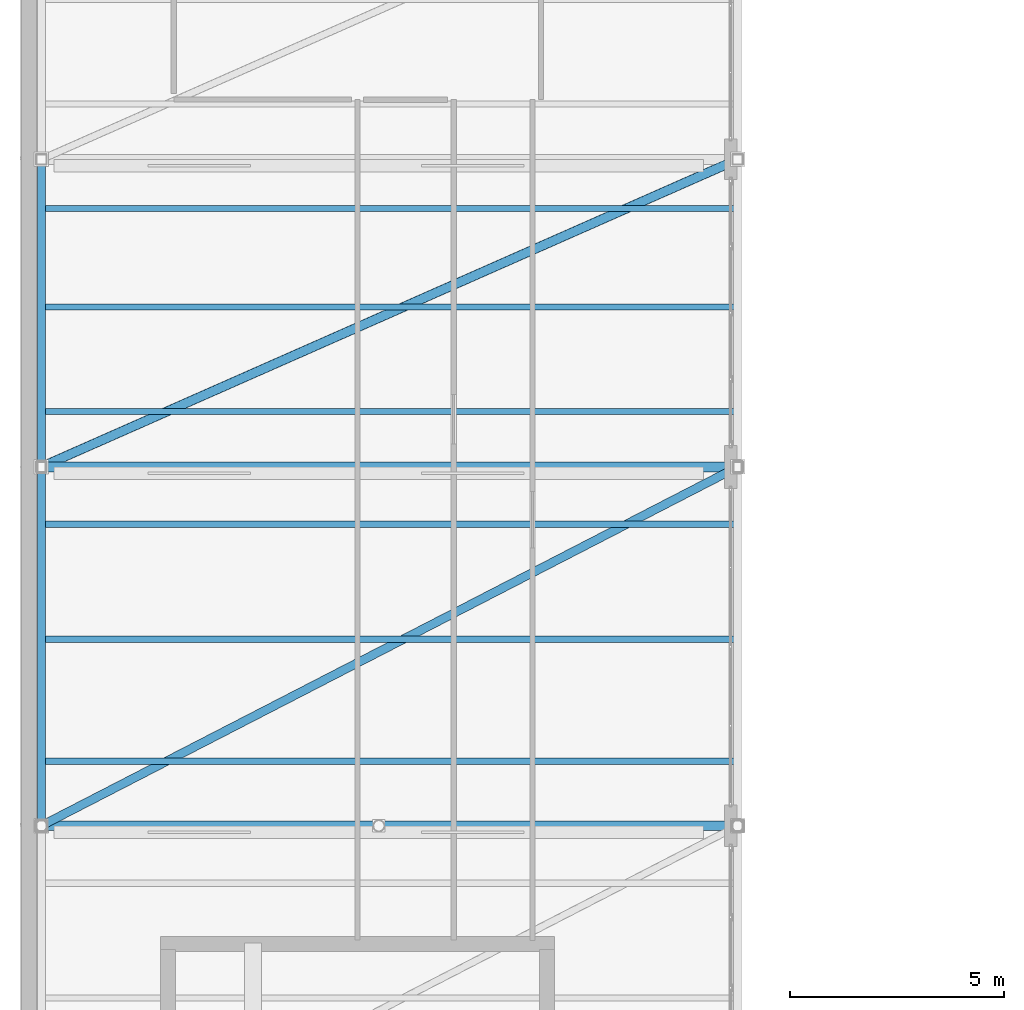
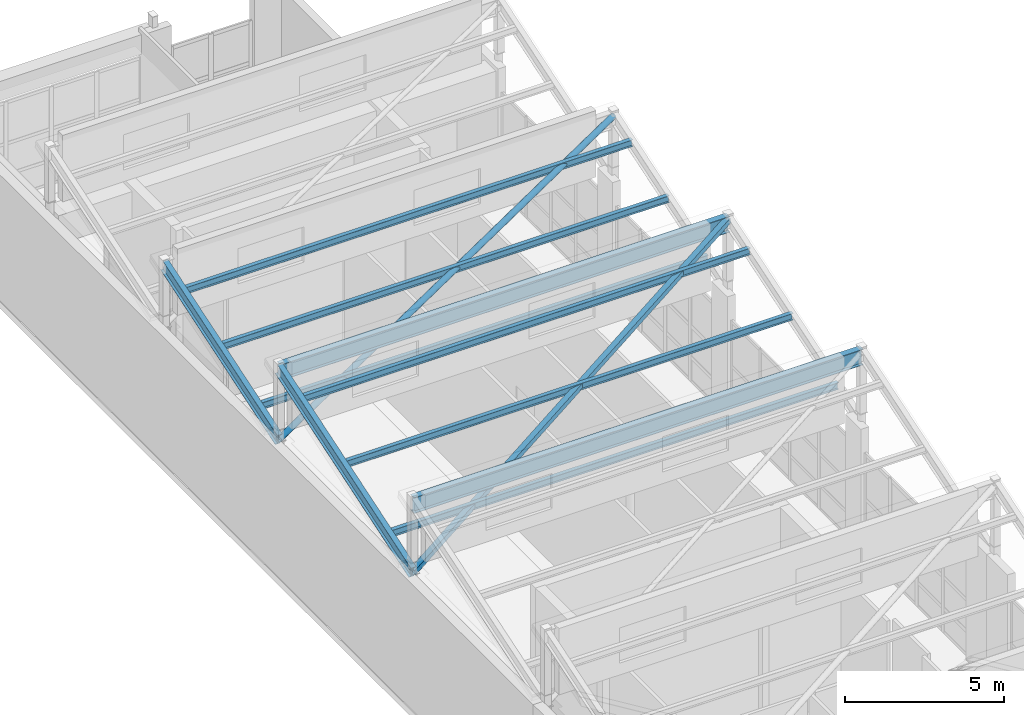
# One storey, part 14 of 34: 8 members, 4 beams.
"""IFC4 building model written with IfcOpenShell, lengths in metres."""

from ifc_helpers import new_model, si_unit, direction, frame, origin, origin_2d, place, context, subcontext, project, spatial, hollow_rectangle, hollow_circle, i_section, extrude, material, material_profile, profile_set, type_object, element, save


model = new_model("IFC4")

# Units and contexts
model_context = context("Model", 3, precision=1e-05, world=origin(), true_north=direction((0.0, 1.0)))
body_context = subcontext(model_context, "Body", "Model", "MODEL_VIEW")
ifc_project = project(units=[si_unit("LENGTHUNIT", "METRE"), si_unit("AREAUNIT", "SQUARE_METRE"), si_unit("VOLUMEUNIT", "CUBIC_METRE"), si_unit("PLANEANGLEUNIT", "RADIAN"), si_unit("MASSUNIT", "GRAM", prefix="KILO")], contexts=[model_context])

# Site, building, storey
site_placement = place(None, origin())
site = spatial("IfcSite", under=ifc_project, at=site_placement, CompositionType="ELEMENT")
building_placement = place(site_placement, origin())
building = spatial("IfcBuilding", under=site, at=building_placement, Name="Quendrovan Civic Courthouse", CompositionType="ELEMENT")
storey_placement = place(building_placement, frame((0.0, 0.0, 25.5)))
storey = spatial("IfcBuildingStorey", under=building, at=storey_placement, Name="L06", CompositionType="ELEMENT", Elevation=25.5)

# Beams
ifc_material_1 = material(Name="Steel ASTM A992 Grade 50", Category="steel")
ifc_material_profile_1 = material_profile(ifc_material_1, i_section(OverallWidth=0.18994140625, OverallDepth=0.45703125, WebThickness=0.009033203125, FlangeThickness=0.014404296875, at=origin_2d()), Name="W460x74")
ifc_profile_set_1 = profile_set([ifc_material_profile_1], Name="Steel ASTM A992 Grade 50")
beam_type_1 = type_object("IfcBeamType", Name="BM-STL-W460", PredefinedType="BEAM", material=ifc_profile_set_1)
beam_1_placement = place(storey_placement, frame((0.5, 64.800048828125, 4.651611328125), z_axis=(0.0, 0.951058036, 0.309012317167), x_axis=(-1.0, 0.0, 0.0)))
element("IfcBeam", 1, at=beam_1_placement, inside=storey, type_object=beam_type_1, Name="Sawtooth Raking Steel Rafter B6-W", PredefinedType="BEAM", context=body_context, shape_type="SweptSolid", body=[
    extrude(i_section(OverallWidth=0.18994140625, OverallDepth=0.45703125, WebThickness=0.009033203125, FlangeThickness=0.014404296875, at=origin_2d()), origin(), (0.0, 0.0, 1.0), 8.832275390625),
])
beam_2_placement = place(storey_placement, frame((0.5, 73.199951171875, 4.651611328125), z_axis=(0.0, 0.951058475916, 0.309010963217), x_axis=(-1.0, 0.0, 0.0)))
element("IfcBeam", 2, at=beam_2_placement, inside=storey, type_object=beam_type_1, Name="Sawtooth Raking Steel Rafter B7-W", PredefinedType="BEAM", context=body_context, shape_type="SweptSolid", body=[
    extrude(i_section(OverallWidth=0.18994140625, OverallDepth=0.45703125, WebThickness=0.009033203125, FlangeThickness=0.014404296875, at=origin_2d()), origin(), (0.0, 0.0, 1.0), 7.570556640625),
])
ifc_material_profile_2 = material_profile(ifc_material_1, i_section(OverallWidth=0.22900390625, OverallDepth=0.612060546875, WebThickness=0.011962890625, FlangeThickness=0.01953125, at=origin_2d()), Name="W610x125")
ifc_profile_set_2 = profile_set([ifc_material_profile_2], Name="Steel ASTM A992 Grade 50")
beam_type_2 = type_object("IfcBeamType", Name="BM-STL-W610", PredefinedType="BEAM", material=ifc_profile_set_2)
for number, where, z_axis, x_axis, name in (
    (3, (0.5, 64.800048828125, 7.26318359375), (1.0, 0.0, 0.0), (0.0, 1.0, 0.0), "Sawtooth Ridge Steel Collector Beam B5"),
    (4, (0.5, 73.199951171875, 7.26318359375), (1.0, 0.0, 0.0), (0.0, 1.0, 0.0), "Sawtooth Ridge Steel Collector Beam B6"),
):
    element("IfcBeam", number, at=place(storey_placement, frame(where, z_axis=z_axis, x_axis=x_axis)), inside=storey, type_object=beam_type_2, Name=name, PredefinedType="BEAM", context=body_context, shape_type="SweptSolid", body=[
        extrude(i_section(OverallWidth=0.22900390625, OverallDepth=0.612060546875, WebThickness=0.011962890625, FlangeThickness=0.01953125, at=origin_2d()), origin(), (0.0, 0.0, 1.0), 16.300048828125),
    ])

# Members
ifc_material_2 = material(Name="Steel ASTM A500 Grade C", Category="steel")
ifc_material_profile_3 = material_profile(ifc_material_2, hollow_circle(Radius=0.109619140625, WallThickness=0.010009765625, at=origin_2d()), Name="CHS219x10")
ifc_profile_set_3 = profile_set([ifc_material_profile_3], Name="Steel ASTM A500 Grade C")
member_type_1 = type_object("IfcMemberType", Name="MEM-BRC-CHS219", PredefinedType="BRACE", material=ifc_profile_set_3)
member_1_placement = place(storey_placement, frame((0.5, 73.199951171875, 4.651611328125), z_axis=(0.906954102434, 0.4006138461, 0.130164520475), x_axis=(-0.404051349623, 0.914736304553, 0.0)))
element("IfcMember", 5, at=member_1_placement, inside=storey, type_object=member_type_1, Name="Sawtooth Roof Diagonal Brace B7", PredefinedType="BRACE", context=body_context, shape_type="SweptSolid", body=[
    extrude(hollow_circle(Radius=0.109619140625, WallThickness=0.010009765625, at=origin_2d()), origin(), (0.0, 0.0, 1.0), 17.972412109375),
])
ifc_material_profile_4 = material_profile(ifc_material_2, hollow_rectangle(XDim=0.199951171875, YDim=0.199951171875, WallThickness=0.010009765625, at=origin_2d()), Name="HSS200x200x10")
ifc_profile_set_4 = profile_set([ifc_material_profile_4], Name="Steel ASTM A500 Grade C")
member_type_2 = type_object("IfcMemberType", Name="MEM-BRC-HSS200", PredefinedType="BRACE", material=ifc_profile_set_4)
member_2_placement = place(storey_placement, frame((0.5, 64.800048828125, 4.651611328125), z_axis=(0.879224803908, 0.453090820089, 0.147215668133), x_axis=(-0.458081889493, 0.888909996861, 0.0)))
element("IfcMember", 6, at=member_2_placement, inside=storey, type_object=member_type_2, Name="Sawtooth Roof Diagonal Brace B6", PredefinedType="BRACE", context=body_context, shape_type="SweptSolid", body=[
    extrude(hollow_rectangle(XDim=0.199951171875, YDim=0.199951171875, WallThickness=0.010009765625, at=origin_2d()), origin(), (0.0, 0.0, 1.0), 18.5390625),
])
ifc_material_profile_5 = material_profile(ifc_material_1, i_section(OverallWidth=0.14599609375, OverallDepth=0.258056640625, WebThickness=0.006103515625, FlangeThickness=0.009033203125, at=origin_2d()), Name="W250x33")
ifc_profile_set_5 = profile_set([ifc_material_profile_5], Name="Steel ASTM A992 Grade 50")
member_type_3 = type_object("IfcMemberType", Name="MEM-PUR-W250", PredefinedType="PURLIN", material=ifc_profile_set_5)
for number, where, z_axis, x_axis, name in (
    (7, (0.5, 66.31201171875, 5.21240234375), (1.0, 0.0, 0.0), (0.0, 1.0, 0.0), "Sawtooth Roof Steel Purlin B6-1"),
    (8, (0.5, 69.16796875, 6.14013671875), (1.0, 0.0, 0.0), (0.0, 1.0, 0.0), "Sawtooth Roof Steel Purlin B6-2"),
    (9, (0.5, 71.85595703125, 7.013671875), (1.0, 0.0, 0.0), (0.0, 1.0, 0.0), "Sawtooth Roof Steel Purlin B6-3"),
    (10, (0.5, 74.49609375, 5.14208984375), (1.0, 0.0, 0.0), (0.0, 1.0, 0.0), "Sawtooth Roof Steel Purlin B7-1"),
    (11, (0.5, 76.944091796875, 5.9375), (1.0, 0.0, 0.0), (0.0, 1.0, 0.0), "Sawtooth Roof Steel Purlin B7-2"),
    (12, (0.5, 79.248046875, 6.68603515625), (1.0, 0.0, 0.0), (0.0, 1.0, 0.0), "Sawtooth Roof Steel Purlin B7-3"),
):
    element("IfcMember", number, at=place(storey_placement, frame(where, z_axis=z_axis, x_axis=x_axis)), inside=storey, type_object=member_type_3, Name=name, PredefinedType="PURLIN", context=body_context, shape_type="SweptSolid", body=[
        extrude(i_section(OverallWidth=0.14599609375, OverallDepth=0.258056640625, WebThickness=0.006103515625, FlangeThickness=0.009033203125, at=origin_2d()), origin(), (0.0, 0.0, 1.0), 16.300048828125),
    ])

save(model, "model.ifc")
